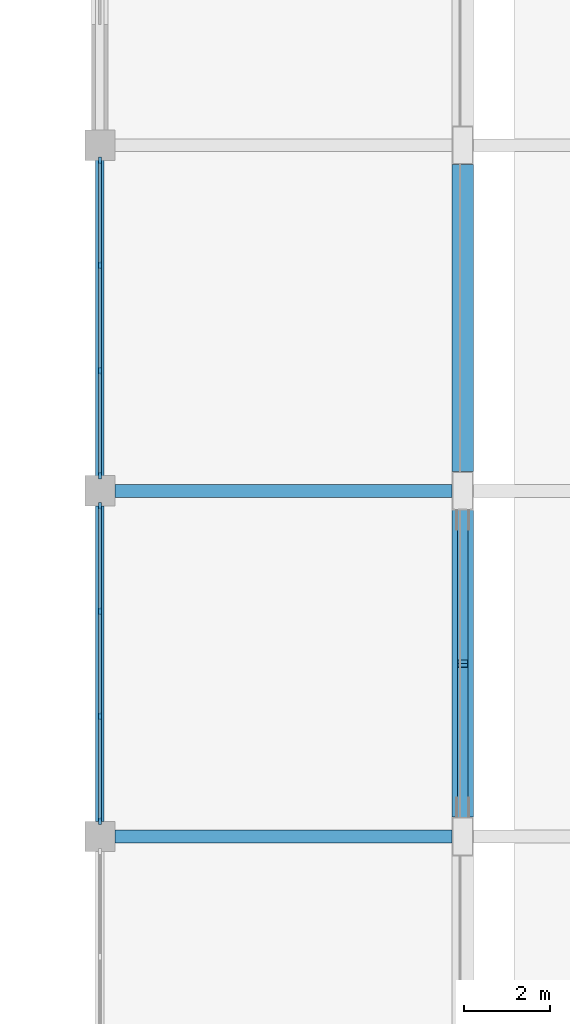
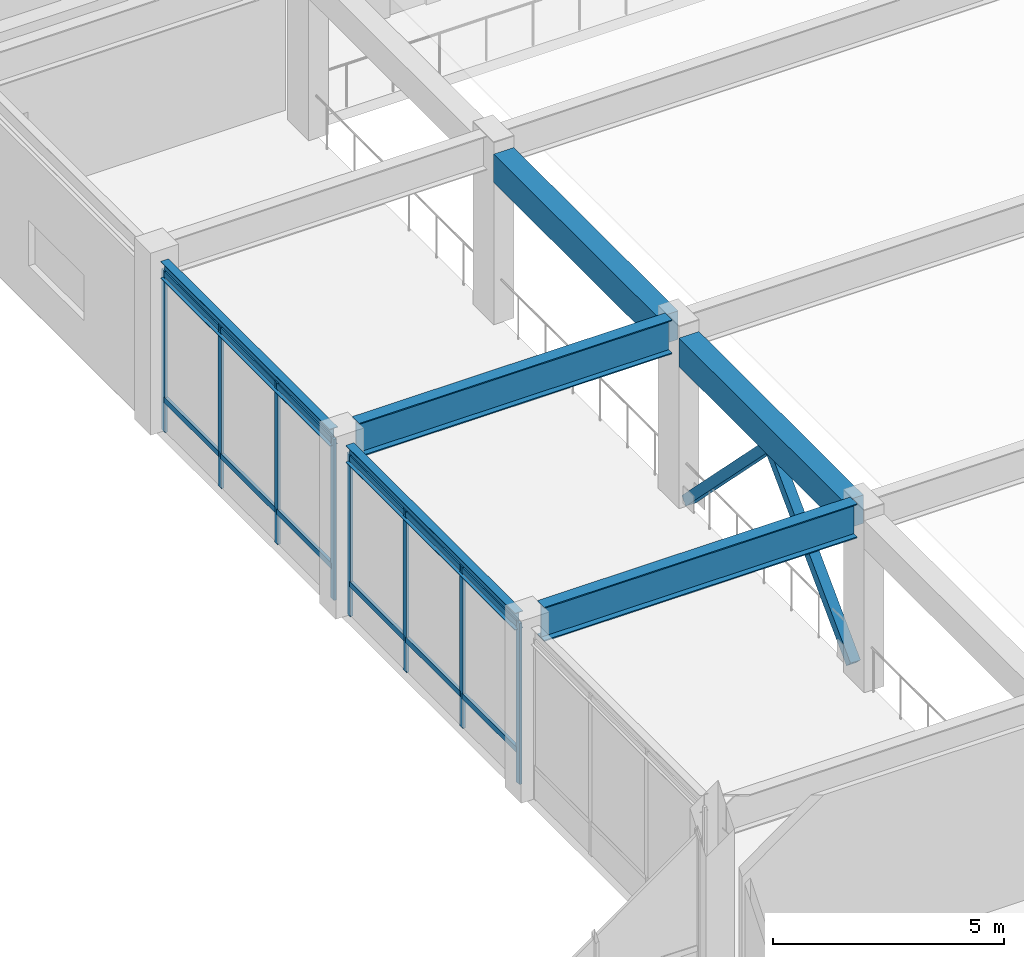
# One storey, part 34 of 76: 22 members, 6 beams, 2 elements without a shape of their own.
"""IFC4 building model written with IfcOpenShell, lengths in metres."""

from ifc_helpers import new_model, si_unit, direction, frame, origin, origin_2d, place, context, subcontext, project, spatial, rectangle, hollow_rectangle, i_section, extrude, material, layer, layer_set, material_profile, profile_set, type_object, element, aggregate, save


model = new_model("IFC4")

# Units and contexts
model_context = context("Model", 3, precision=1e-05, world=origin(), true_north=direction((0.0, 1.0)))
body_context = subcontext(model_context, "Body", "Model", "MODEL_VIEW")
ifc_project = project(units=[si_unit("LENGTHUNIT", "METRE"), si_unit("AREAUNIT", "SQUARE_METRE"), si_unit("VOLUMEUNIT", "CUBIC_METRE"), si_unit("PLANEANGLEUNIT", "RADIAN"), si_unit("MASSUNIT", "GRAM", prefix="KILO")], contexts=[model_context])

# Site, building, storey
site_placement = place(None, origin())
site = spatial("IfcSite", under=ifc_project, at=site_placement, CompositionType="ELEMENT")
building_placement = place(site_placement, origin())
building = spatial("IfcBuilding", under=site, at=building_placement, Name="Naruveol Harbour Congress Hotel", CompositionType="ELEMENT")
storey_placement = place(building_placement, frame((0.0, 0.0, 11.39990234375)))
storey = spatial("IfcBuildingStorey", under=building, at=storey_placement, Name="L02", CompositionType="ELEMENT", Elevation=11.39990234375)

# Beams
ifc_material_1 = material(Name="Concrete C40/50", Category="concrete")
ifc_material_profile_1 = material_profile(ifc_material_1, rectangle(XDim=0.5, YDim=0.75, at=origin_2d()), Name="RCB-500x750")
ifc_profile_set_1 = profile_set([ifc_material_profile_1], Name="Concrete C40/50")
beam_type_1 = type_object("IfcBeamType", Name="RC FLOOR GIRDER 500X750", PredefinedType="BEAM", material=ifc_profile_set_1)
for number, where, z_axis, x_axis, name in (
    (1, (75.60009765625, 80.446044921875, 4.125), (0.0, 1.0, 0.0), (-1.0, 0.0, 0.0), "Transverse girder L03 CB3"),
    (2, (75.60009765625, 88.446044921875, 4.125), (0.0, 1.0, 0.0), (-1.0, 0.0, 0.0), "Transverse girder L03 CB3"),
):
    element("IfcBeam", number, at=place(storey_placement, frame(where, z_axis=z_axis, x_axis=x_axis)), inside=storey, type_object=beam_type_1, Name=name, PredefinedType="BEAM", context=body_context, shape_type="SweptSolid", body=[
        extrude(rectangle(XDim=0.5, YDim=0.75, at=origin_2d()), origin(), (0.0, 0.0, 1.0), 7.10791015625),
    ])
ifc_material_2 = material(Name="Steel SN490", Category="steel")
ifc_material_profile_2 = material_profile(ifc_material_2, i_section(OverallWidth=0.300048828125, OverallDepth=0.89990234375, WebThickness=0.01611328125, FlangeThickness=0.028076171875, at=origin_2d()), Name="H-900x300x16x28")
ifc_profile_set_2 = profile_set([ifc_material_profile_2], Name="Steel SN490")
beam_type_2 = type_object("IfcBeamType", Name="STEEL BALLROOM GABLE GIRDER H900", PredefinedType="BEAM", material=ifc_profile_set_2)
for number, where, z_axis, x_axis, name in (
    (3, (67.5458984375, 80.0, 4.35009765625), (1.0, 0.0, 0.0), (0.0, 1.0, 0.0), "Ballroom west tie girder BG1"),
    (4, (67.5458984375, 88.0, 4.35009765625), (1.0, 0.0, 0.0), (0.0, 1.0, 0.0), "Ballroom west tie girder BG1"),
):
    element("IfcBeam", number, at=place(storey_placement, frame(where, z_axis=z_axis, x_axis=x_axis)), inside=storey, type_object=beam_type_2, Name=name, PredefinedType="BEAM", context=body_context, shape_type="SweptSolid", body=[
        extrude(i_section(OverallWidth=0.300048828125, OverallDepth=0.89990234375, WebThickness=0.01611328125, FlangeThickness=0.028076171875, at=origin_2d()), origin(), (0.0, 0.0, 1.0), 7.80810546875),
    ])

# Members
ifc_material_3 = material(Name="Steel SN490", Category="steel")
ifc_material_profile_3 = material_profile(ifc_material_3, hollow_rectangle(XDim=0.25, YDim=0.25, WallThickness=0.011962890625, at=origin_2d()), Name="SHS-250x250x12")
ifc_profile_set_3 = profile_set([ifc_material_profile_3], Name="Steel SN490")
member_type_1 = type_object("IfcMemberType", Name="STEEL LATERAL FRAME BRACE SHS250", PredefinedType="BRACE", material=ifc_profile_set_3)
for number, where, z_axis, x_axis, name in (
    (5, (75.60009765625, 80.43994140625, 0.16015625), (0.0, 0.704154996628, 0.710046294775), (-1.0, 0.0, 0.0), "Lateral chevron brace L02 #18A"),
    (6, (75.60009765625, 87.56005859375, 0.16015625), (0.0, -0.704154996628, 0.710046294775), (1.0, 0.0, 0.0), "Lateral chevron brace L02 #18B"),
):
    element("IfcMember", number, at=place(storey_placement, frame(where, z_axis=z_axis, x_axis=x_axis)), inside=storey, type_object=member_type_1, Name=name, PredefinedType="BRACE", context=body_context, shape_type="SweptSolid", body=[
        extrude(hollow_rectangle(XDim=0.25, YDim=0.25, WallThickness=0.011962890625, at=origin_2d()), origin(), (0.0, 0.0, 1.0), 5.055908203125),
    ])

# Beams
ifc_material_4 = material(Name="Steel SN490", Category="steel")
ifc_material_profile_4 = material_profile(ifc_material_4, i_section(OverallWidth=0.199951171875, OverallDepth=0.449951171875, WebThickness=0.009033203125, FlangeThickness=0.013916015625, at=origin_2d()), Name="H-450x200x9x14")
ifc_profile_set_4 = profile_set([ifc_material_profile_4], Name="Steel SN490")
beam_type_3 = type_object("IfcBeamType", Name="STEEL SPANDREL EDGE BEAM H450", PredefinedType="SPANDREL", material=ifc_profile_set_4)
for number, where, z_axis, x_axis, name in (
    (7, (67.199951171875, 80.345947265625, 4.275146484375), (0.0, 1.0, 0.0), (-1.0, 0.0, 0.0), "Transverse girder L03 SPB2"),
    (8, (67.199951171875, 88.345947265625, 4.275146484375), (0.0, 1.0, 0.0), (-1.0, 0.0, 0.0), "Transverse girder L03 SPB2"),
):
    element("IfcBeam", number, at=place(storey_placement, frame(where, z_axis=z_axis, x_axis=x_axis)), inside=storey, type_object=beam_type_3, Name=name, PredefinedType="SPANDREL", context=body_context, shape_type="SweptSolid", body=[
        extrude(i_section(OverallWidth=0.199951171875, OverallDepth=0.449951171875, WebThickness=0.009033203125, FlangeThickness=0.013916015625, at=origin_2d()), origin(), (0.0, 0.0, 1.0), 7.30810546875),
    ])

# Curtain wall, members
ifc_material_5 = material(Name="Low-E Curtain Wall System", Category="glass")
ifc_layer = layer(ifc_material_5, 0.179931640625)
ifc_layer_set = layer_set([ifc_layer], Name="Low-E Curtain Wall System")
curtain_wall_type = type_object("IfcCurtainWallType", Name="UNITISED CURTAIN WALL CW-V2W-21 7300X4250", PredefinedType="USERDEFINED", material=ifc_layer_set)
curtain_wall_1_placement = place(storey_placement, origin())
curtain_wall_1 = element("IfcCurtainWall", 9, at=curtain_wall_1_placement, inside=storey, type_object=curtain_wall_type, Name="Unitised curtain wall CW-V2W-21 L02", ObjectType="UNITISED GLAZING", PredefinedType="USERDEFINED")
ifc_material_6 = material(Name="Anodised Aluminium 6063-T6", Category="aluminium")
ifc_material_profile_5 = material_profile(ifc_material_6, rectangle(XDim=0.06494140625, YDim=0.14990234375, at=origin_2d()), Name="ALU-65x150")
ifc_profile_set_5 = profile_set([ifc_material_profile_5], Name="Anodised Aluminium 6063-T6")
member_type_2 = type_object("IfcMemberType", Name="THERMAL ALUMINIUM MULLION 65X150", PredefinedType="MULLION", material=ifc_profile_set_5)
member_1_placement = place(storey_placement, frame((67.199951171875, 80.35009765625, 0.0), z_axis=(0.0, 0.0, 1.0), x_axis=(1.0, 0.0, 0.0)))
member_1 = element("IfcMember", 10, at=member_1_placement, type_object=member_type_2, Name="Curtain wall mullion CW-L02-0045-M0", PredefinedType="MULLION", context=body_context, shape_type="SweptSolid", body=[
    extrude(rectangle(XDim=0.06494140625, YDim=0.14990234375, at=origin_2d()), origin(), (0.0, 0.0, 1.0), 4.25),
])
member_2_placement = place(storey_placement, frame((67.199951171875, 82.783203125, 0.0), z_axis=(0.0, 0.0, 1.0), x_axis=(1.0, 0.0, 0.0)))
member_2 = element("IfcMember", 11, at=member_2_placement, type_object=member_type_2, Name="Curtain wall mullion CW-L02-0045-M1", PredefinedType="MULLION", context=body_context, shape_type="SweptSolid", body=[
    extrude(rectangle(XDim=0.06494140625, YDim=0.14990234375, at=origin_2d()), origin(), (0.0, 0.0, 1.0), 4.25),
])
member_3_placement = place(storey_placement, frame((67.199951171875, 85.216796875, 0.0), z_axis=(0.0, 0.0, 1.0), x_axis=(1.0, 0.0, 0.0)))
member_3 = element("IfcMember", 12, at=member_3_placement, type_object=member_type_2, Name="Curtain wall mullion CW-L02-0045-M2", PredefinedType="MULLION", context=body_context, shape_type="SweptSolid", body=[
    extrude(rectangle(XDim=0.06494140625, YDim=0.14990234375, at=origin_2d()), origin(), (0.0, 0.0, 1.0), 4.25),
])
member_4_placement = place(storey_placement, frame((67.199951171875, 87.64990234375, 0.0), z_axis=(0.0, 0.0, 1.0), x_axis=(1.0, 0.0, 0.0)))
member_4 = element("IfcMember", 13, at=member_4_placement, type_object=member_type_2, Name="Curtain wall mullion CW-L02-0045-M3", PredefinedType="MULLION", context=body_context, shape_type="SweptSolid", body=[
    extrude(rectangle(XDim=0.06494140625, YDim=0.14990234375, at=origin_2d()), origin(), (0.0, 0.0, 1.0), 4.25),
])

curtain_wall_2_placement = place(storey_placement, origin())
curtain_wall_2 = element("IfcCurtainWall", 14, at=curtain_wall_2_placement, inside=storey, type_object=curtain_wall_type, Name="Unitised curtain wall CW-V2W-21 L02", ObjectType="UNITISED GLAZING", PredefinedType="USERDEFINED")
member_5_placement = place(storey_placement, frame((67.199951171875, 88.35009765625, 0.0), z_axis=(0.0, 0.0, 1.0), x_axis=(1.0, 0.0, 0.0)))
member_5 = element("IfcMember", 15, at=member_5_placement, type_object=member_type_2, Name="Curtain wall mullion CW-L02-0046-M0", PredefinedType="MULLION", context=body_context, shape_type="SweptSolid", body=[
    extrude(rectangle(XDim=0.06494140625, YDim=0.14990234375, at=origin_2d()), origin(), (0.0, 0.0, 1.0), 4.25),
])
member_6_placement = place(storey_placement, frame((67.199951171875, 90.783203125, 0.0), z_axis=(0.0, 0.0, 1.0), x_axis=(1.0, 0.0, 0.0)))
member_6 = element("IfcMember", 16, at=member_6_placement, type_object=member_type_2, Name="Curtain wall mullion CW-L02-0046-M1", PredefinedType="MULLION", context=body_context, shape_type="SweptSolid", body=[
    extrude(rectangle(XDim=0.06494140625, YDim=0.14990234375, at=origin_2d()), origin(), (0.0, 0.0, 1.0), 4.25),
])
member_7_placement = place(storey_placement, frame((67.199951171875, 93.216796875, 0.0), z_axis=(0.0, 0.0, 1.0), x_axis=(1.0, 0.0, 0.0)))
member_7 = element("IfcMember", 17, at=member_7_placement, type_object=member_type_2, Name="Curtain wall mullion CW-L02-0046-M2", PredefinedType="MULLION", context=body_context, shape_type="SweptSolid", body=[
    extrude(rectangle(XDim=0.06494140625, YDim=0.14990234375, at=origin_2d()), origin(), (0.0, 0.0, 1.0), 4.25),
])
member_8_placement = place(storey_placement, frame((67.199951171875, 95.64990234375, 0.0), z_axis=(0.0, 0.0, 1.0), x_axis=(1.0, 0.0, 0.0)))
member_8 = element("IfcMember", 18, at=member_8_placement, type_object=member_type_2, Name="Curtain wall mullion CW-L02-0046-M3", PredefinedType="MULLION", context=body_context, shape_type="SweptSolid", body=[
    extrude(rectangle(XDim=0.06494140625, YDim=0.14990234375, at=origin_2d()), origin(), (0.0, 0.0, 1.0), 4.25),
])

# Member
ifc_material_7 = material(Name="Anodised Aluminium 6063-T6", Category="aluminium")
ifc_material_profile_6 = material_profile(ifc_material_7, rectangle(XDim=0.074951171875, YDim=0.14990234375, at=origin_2d()), Name="ALU-75x150")
ifc_profile_set_6 = profile_set([ifc_material_profile_6], Name="Anodised Aluminium 6063-T6")
member_type_3 = type_object("IfcMemberType", Name="THERMAL ALUMINIUM TRANSOM 75X150", PredefinedType="USERDEFINED", material=ifc_profile_set_6)
member_9_placement = place(storey_placement, frame((67.199951171875, 80.389892578125, 0.85009765625), z_axis=(0.0, 1.0, 0.0), x_axis=(-1.0, 0.0, 0.0)))
member_9 = element("IfcMember", 19, at=member_9_placement, type_object=member_type_3, Name="Curtain wall transom CW-L02-0045-T0.1", ObjectType="TRANSOM", PredefinedType="USERDEFINED", context=body_context, shape_type="SweptSolid", body=[
    extrude(rectangle(XDim=0.074951171875, YDim=0.14990234375, at=origin_2d()), origin(), (0.0, 0.0, 1.0), 2.353515625),
])

member_10_placement = place(storey_placement, frame((67.199951171875, 80.389892578125, 4.170166015625), z_axis=(0.0, 1.0, 0.0), x_axis=(-1.0, 0.0, 0.0)))
member_10 = element("IfcMember", 20, at=member_10_placement, type_object=member_type_3, Name="Curtain wall transom CW-L02-0045-T0.2", ObjectType="TRANSOM", PredefinedType="USERDEFINED", context=body_context, shape_type="SweptSolid", body=[
    extrude(rectangle(XDim=0.074951171875, YDim=0.14990234375, at=origin_2d()), origin(), (0.0, 0.0, 1.0), 2.353515625),
])

member_11_placement = place(storey_placement, frame((67.199951171875, 82.8232421875, 0.85009765625), z_axis=(0.0, 1.0, 0.0), x_axis=(-1.0, 0.0, 0.0)))
member_11 = element("IfcMember", 21, at=member_11_placement, type_object=member_type_3, Name="Curtain wall transom CW-L02-0045-T1.1", ObjectType="TRANSOM", PredefinedType="USERDEFINED", context=body_context, shape_type="SweptSolid", body=[
    extrude(rectangle(XDim=0.074951171875, YDim=0.14990234375, at=origin_2d()), origin(), (0.0, 0.0, 1.0), 2.353515625),
])

member_12_placement = place(storey_placement, frame((67.199951171875, 82.8232421875, 4.170166015625), z_axis=(0.0, 1.0, 0.0), x_axis=(-1.0, 0.0, 0.0)))
member_12 = element("IfcMember", 22, at=member_12_placement, type_object=member_type_3, Name="Curtain wall transom CW-L02-0045-T1.2", ObjectType="TRANSOM", PredefinedType="USERDEFINED", context=body_context, shape_type="SweptSolid", body=[
    extrude(rectangle(XDim=0.074951171875, YDim=0.14990234375, at=origin_2d()), origin(), (0.0, 0.0, 1.0), 2.353515625),
])

member_13_placement = place(storey_placement, frame((67.199951171875, 85.256591796875, 0.85009765625), z_axis=(0.0, 1.0, 0.0), x_axis=(-1.0, 0.0, 0.0)))
member_13 = element("IfcMember", 23, at=member_13_placement, type_object=member_type_3, Name="Curtain wall transom CW-L02-0045-T2.1", ObjectType="TRANSOM", PredefinedType="USERDEFINED", context=body_context, shape_type="SweptSolid", body=[
    extrude(rectangle(XDim=0.074951171875, YDim=0.14990234375, at=origin_2d()), origin(), (0.0, 0.0, 1.0), 2.353515625),
])

member_14_placement = place(storey_placement, frame((67.199951171875, 85.256591796875, 4.170166015625), z_axis=(0.0, 1.0, 0.0), x_axis=(-1.0, 0.0, 0.0)))
member_14 = element("IfcMember", 24, at=member_14_placement, type_object=member_type_3, Name="Curtain wall transom CW-L02-0045-T2.2", ObjectType="TRANSOM", PredefinedType="USERDEFINED", context=body_context, shape_type="SweptSolid", body=[
    extrude(rectangle(XDim=0.074951171875, YDim=0.14990234375, at=origin_2d()), origin(), (0.0, 0.0, 1.0), 2.353515625),
])

aggregate(curtain_wall_1, [member_1, member_2, member_3, member_4, member_9, member_10, member_11, member_12, member_13, member_14])

member_15_placement = place(storey_placement, frame((67.199951171875, 88.389892578125, 0.85009765625), z_axis=(0.0, 1.0, 0.0), x_axis=(-1.0, 0.0, 0.0)))
member_15 = element("IfcMember", 25, at=member_15_placement, type_object=member_type_3, Name="Curtain wall transom CW-L02-0046-T0.1", ObjectType="TRANSOM", PredefinedType="USERDEFINED", context=body_context, shape_type="SweptSolid", body=[
    extrude(rectangle(XDim=0.074951171875, YDim=0.14990234375, at=origin_2d()), origin(), (0.0, 0.0, 1.0), 2.353515625),
])

member_16_placement = place(storey_placement, frame((67.199951171875, 88.389892578125, 4.170166015625), z_axis=(0.0, 1.0, 0.0), x_axis=(-1.0, 0.0, 0.0)))
member_16 = element("IfcMember", 26, at=member_16_placement, type_object=member_type_3, Name="Curtain wall transom CW-L02-0046-T0.2", ObjectType="TRANSOM", PredefinedType="USERDEFINED", context=body_context, shape_type="SweptSolid", body=[
    extrude(rectangle(XDim=0.074951171875, YDim=0.14990234375, at=origin_2d()), origin(), (0.0, 0.0, 1.0), 2.353515625),
])

member_17_placement = place(storey_placement, frame((67.199951171875, 90.8232421875, 0.85009765625), z_axis=(0.0, 1.0, 0.0), x_axis=(-1.0, 0.0, 0.0)))
member_17 = element("IfcMember", 27, at=member_17_placement, type_object=member_type_3, Name="Curtain wall transom CW-L02-0046-T1.1", ObjectType="TRANSOM", PredefinedType="USERDEFINED", context=body_context, shape_type="SweptSolid", body=[
    extrude(rectangle(XDim=0.074951171875, YDim=0.14990234375, at=origin_2d()), origin(), (0.0, 0.0, 1.0), 2.353515625),
])

member_18_placement = place(storey_placement, frame((67.199951171875, 90.8232421875, 4.170166015625), z_axis=(0.0, 1.0, 0.0), x_axis=(-1.0, 0.0, 0.0)))
member_18 = element("IfcMember", 28, at=member_18_placement, type_object=member_type_3, Name="Curtain wall transom CW-L02-0046-T1.2", ObjectType="TRANSOM", PredefinedType="USERDEFINED", context=body_context, shape_type="SweptSolid", body=[
    extrude(rectangle(XDim=0.074951171875, YDim=0.14990234375, at=origin_2d()), origin(), (0.0, 0.0, 1.0), 2.353515625),
])

member_19_placement = place(storey_placement, frame((67.199951171875, 93.256591796875, 0.85009765625), z_axis=(0.0, 1.0, 0.0), x_axis=(-1.0, 0.0, 0.0)))
member_19 = element("IfcMember", 29, at=member_19_placement, type_object=member_type_3, Name="Curtain wall transom CW-L02-0046-T2.1", ObjectType="TRANSOM", PredefinedType="USERDEFINED", context=body_context, shape_type="SweptSolid", body=[
    extrude(rectangle(XDim=0.074951171875, YDim=0.14990234375, at=origin_2d()), origin(), (0.0, 0.0, 1.0), 2.353515625),
])

member_20_placement = place(storey_placement, frame((67.199951171875, 93.256591796875, 4.170166015625), z_axis=(0.0, 1.0, 0.0), x_axis=(-1.0, 0.0, 0.0)))
member_20 = element("IfcMember", 30, at=member_20_placement, type_object=member_type_3, Name="Curtain wall transom CW-L02-0046-T2.2", ObjectType="TRANSOM", PredefinedType="USERDEFINED", context=body_context, shape_type="SweptSolid", body=[
    extrude(rectangle(XDim=0.074951171875, YDim=0.14990234375, at=origin_2d()), origin(), (0.0, 0.0, 1.0), 2.353515625),
])

aggregate(curtain_wall_2, [member_5, member_6, member_7, member_8, member_15, member_16, member_17, member_18, member_19, member_20])

save(model, "model.ifc")
